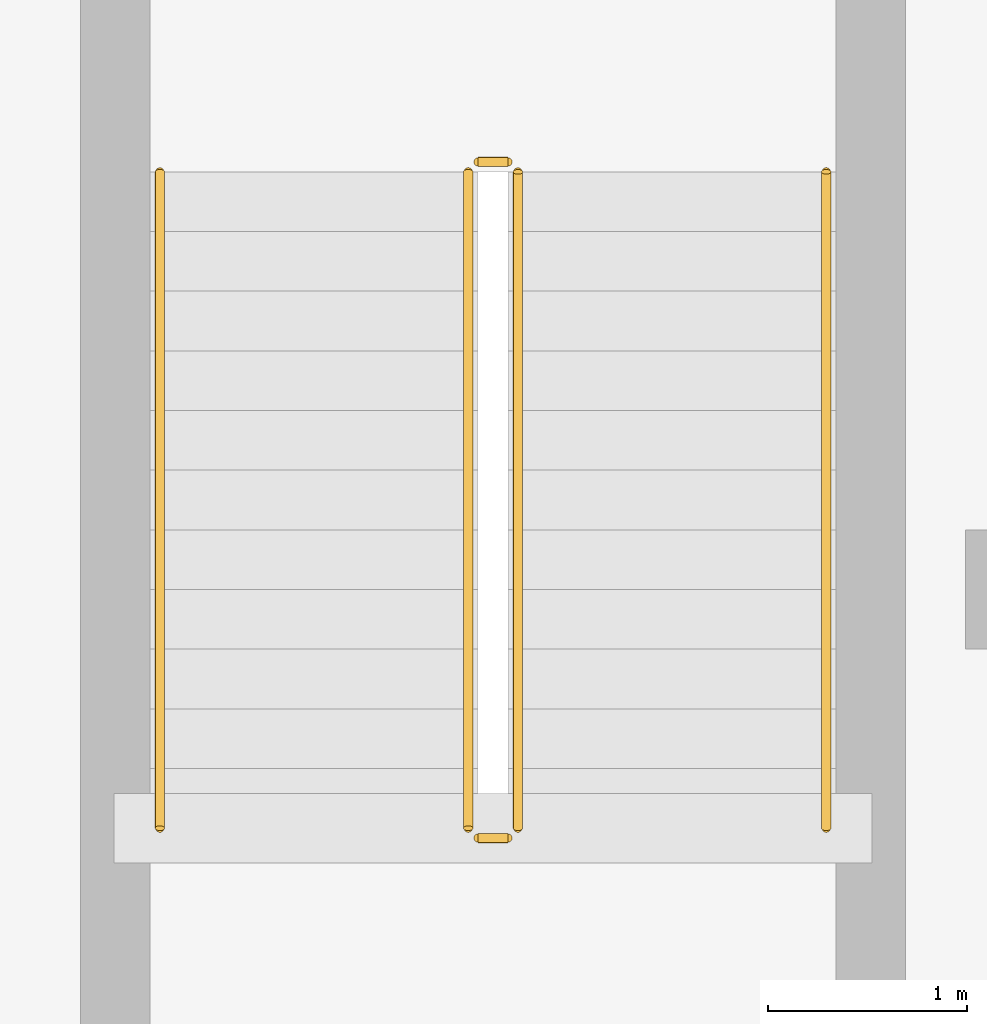
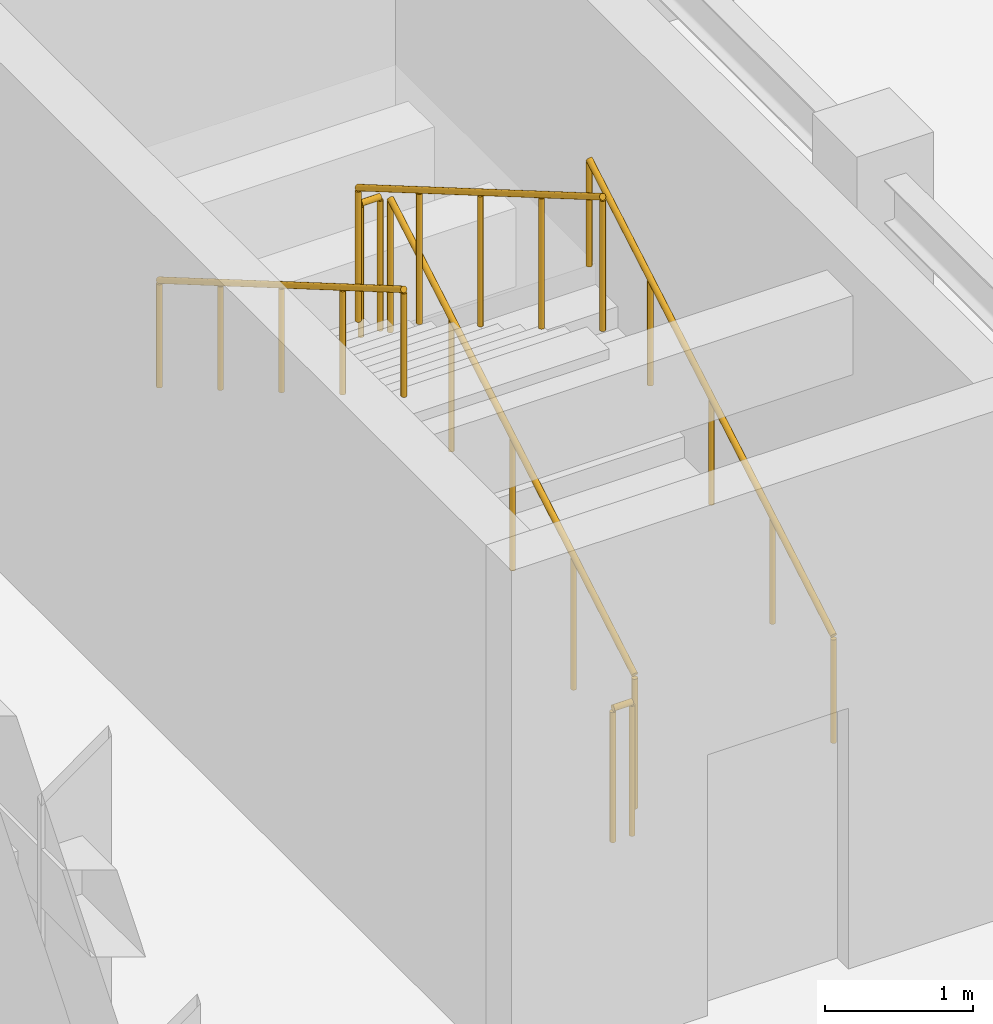
# One storey, part 114 of 122: 6 railings.
"""IFC4 building model written with IfcOpenShell, lengths in metres."""

from ifc_helpers import new_model, si_unit, direction, frame, origin, origin_2d, place, context, subcontext, project, spatial, circle, extrude, material, material_profile, profile_set, type_object, element, save


model = new_model("IFC4")

# Units and contexts
model_context = context("Model", 3, precision=1e-05, world=origin(), true_north=direction((0.0, 1.0)))
body_context = subcontext(model_context, "Body", "Model", "MODEL_VIEW")
ifc_project = project(units=[si_unit("LENGTHUNIT", "METRE"), si_unit("AREAUNIT", "SQUARE_METRE"), si_unit("VOLUMEUNIT", "CUBIC_METRE"), si_unit("PLANEANGLEUNIT", "RADIAN"), si_unit("MASSUNIT", "GRAM", prefix="KILO")], contexts=[model_context])

# Site, building, storey
site_placement = place(None, origin())
site = spatial("IfcSite", under=ifc_project, at=site_placement, CompositionType="ELEMENT")
building_placement = place(site_placement, origin())
building = spatial("IfcBuilding", under=site, at=building_placement, Name="Tazoul Stagehouse", CompositionType="ELEMENT")
storey_placement = place(building_placement, frame((0.0, 0.0, 4.800048828125)))
storey = spatial("IfcBuildingStorey", under=building, at=storey_placement, Name="L01", CompositionType="ELEMENT", Elevation=4.800048828125)

# Railings
ifc_material = material(Name="Brushed Stainless Steel 316L", Category="steel")
ifc_material_profile_1 = material_profile(ifc_material, circle(Radius=0.02392578125, at=origin_2d()), Name="SS RAIL D48")
ifc_profile_set_1 = profile_set([ifc_material_profile_1], Name="Brushed Stainless Steel 316L")
railing_type_1 = type_object("IfcRailingType", Name="Architectural Guardrail H1120", PredefinedType="GUARDRAIL", material=ifc_profile_set_1)
railing_1_placement = place(storey_placement, frame((8.25, 79.39990234375, 0.175048828125)))
element("IfcRailing", 1, at=railing_1_placement, inside=storey, type_object=railing_type_1, Name="L01 ST-06 stair guard 1", PredefinedType="GUARDRAIL", context=body_context, shape_type="SweptSolid", body=[
    extrude(circle(Radius=0.02392578125, at=origin_2d()), frame((0.0, 0.0, 1.09619140625), z_axis=(0.0, 0.863804395585, 0.503827317807), x_axis=(-1.0, 0.0, 0.0)), (0.0, 0.0, 1.0), 3.8203125),
    extrude(circle(Radius=0.02099609375, at=origin_2d()), origin(), (0.0, 0.0, 1.0), 1.072021484375),
    extrude(circle(Radius=0.02099609375, at=origin_2d()), frame((0.0, 0.824951171875, 0.481201171875)), (0.0, 0.0, 1.0), 1.072021484375),
    extrude(circle(Radius=0.02099609375, at=origin_2d()), frame((0.0, 1.64990234375, 0.96240234375)), (0.0, 0.0, 1.0), 1.072021484375),
    extrude(circle(Radius=0.02099609375, at=origin_2d()), frame((0.0, 2.47509765625, 1.443603515625)), (0.0, 0.0, 1.0), 1.072021484375),
    extrude(circle(Radius=0.02099609375, at=origin_2d()), frame((0.0, 3.300048828125, 1.9248046875)), (0.0, 0.0, 1.0), 1.072021484375),
])
railing_2_placement = place(storey_placement, frame((8.199951171875, 82.75, 2.099853515625)))
element("IfcRailing", 2, at=railing_2_placement, inside=storey, type_object=railing_type_1, Name="L01 ST-06 stair guard 2", PredefinedType="GUARDRAIL", context=body_context, shape_type="SweptSolid", body=[
    extrude(circle(Radius=0.02392578125, at=origin_2d()), frame((0.0, 0.0, 1.09619140625), z_axis=(-1.0, 0.0, 0.0), x_axis=(0.0, -1.0, 0.0)), (0.0, 0.0, 1.0), 0.14990234375),
    extrude(circle(Radius=0.02099609375, at=origin_2d()), origin(), (0.0, 0.0, 1.0), 1.072021484375),
    extrude(circle(Radius=0.02099609375, at=origin_2d()), frame((-0.14990234375, 0.0, 0.0)), (0.0, 0.0, 1.0), 1.072021484375),
])
railing_3_placement = place(storey_placement, frame((8.0, 82.699951171875, 2.27490234375)))
element("IfcRailing", 3, at=railing_3_placement, inside=storey, type_object=railing_type_1, Name="L01 ST-06 stair guard 3", PredefinedType="GUARDRAIL", context=body_context, shape_type="SweptSolid", body=[
    extrude(circle(Radius=0.02392578125, at=origin_2d()), frame((0.0, 0.0, 1.09619140625), z_axis=(0.0, -0.863776583165, 0.503874998761), x_axis=(1.0, 0.0, 0.0)), (0.0, 0.0, 1.0), 3.820556640625),
    extrude(circle(Radius=0.02099609375, at=origin_2d()), origin(), (0.0, 0.0, 1.0), 1.072021484375),
    extrude(circle(Radius=0.02099609375, at=origin_2d()), frame((0.0, -0.824951171875, 0.481201171875)), (0.0, 0.0, 1.0), 1.072021484375),
    extrude(circle(Radius=0.02099609375, at=origin_2d()), frame((0.0, -1.64990234375, 0.96240234375)), (0.0, 0.0, 1.0), 1.072021484375),
    extrude(circle(Radius=0.02099609375, at=origin_2d()), frame((0.0, -2.47509765625, 1.44384765625)), (0.0, 0.0, 1.0), 1.072021484375),
    extrude(circle(Radius=0.02099609375, at=origin_2d()), frame((0.0, -3.300048828125, 1.925048828125)), (0.0, 0.0, 1.0), 1.072021484375),
])
railing_4_placement = place(storey_placement, frame((8.199951171875, 79.35009765625, 0.0)))
element("IfcRailing", 4, at=railing_4_placement, inside=storey, type_object=railing_type_1, Name="L01 ST-06 stair guard 4", PredefinedType="GUARDRAIL", context=body_context, shape_type="SweptSolid", body=[
    extrude(circle(Radius=0.02392578125, at=origin_2d()), frame((0.0, 0.0, 1.09619140625), z_axis=(-1.0, 0.0, 0.0), x_axis=(0.0, -1.0, 0.0)), (0.0, 0.0, 1.0), 0.14990234375),
    extrude(circle(Radius=0.02099609375, at=origin_2d()), origin(), (0.0, 0.0, 1.0), 1.072021484375),
    extrude(circle(Radius=0.02099609375, at=origin_2d()), frame((-0.14990234375, 0.0, 0.0)), (0.0, 0.0, 1.0), 1.072021484375),
])
ifc_material_profile_2 = material_profile(ifc_material, circle(Radius=0.02099609375, at=origin_2d()), Name="SS HANDRAIL D42")
ifc_profile_set_2 = profile_set([ifc_material_profile_2], Name="Brushed Stainless Steel 316L")
railing_type_2 = type_object("IfcRailingType", Name="Continuous Stair Handrail H900", PredefinedType="HANDRAIL", material=ifc_profile_set_2)
railing_5_placement = place(storey_placement, frame((9.800048828125, 79.39990234375, 0.175048828125)))
element("IfcRailing", 5, at=railing_5_placement, inside=storey, type_object=railing_type_2, Name="L01 ST-06 stair handrail 1", PredefinedType="HANDRAIL", context=body_context, shape_type="SweptSolid", body=[
    extrude(circle(Radius=0.02392578125, at=origin_2d()), frame((0.0, 0.0, 0.8759765625), z_axis=(0.0, 0.863804395585, 0.503827317807), x_axis=(-1.0, 0.0, 0.0)), (0.0, 0.0, 1.0), 3.8203125),
    extrude(circle(Radius=0.02099609375, at=origin_2d()), origin(), (0.0, 0.0, 1.0), 0.851806640625),
    extrude(circle(Radius=0.02099609375, at=origin_2d()), frame((0.0, 0.824951171875, 0.481201171875)), (0.0, 0.0, 1.0), 0.851806640625),
    extrude(circle(Radius=0.02099609375, at=origin_2d()), frame((0.0, 1.64990234375, 0.96240234375)), (0.0, 0.0, 1.0), 0.851806640625),
    extrude(circle(Radius=0.02099609375, at=origin_2d()), frame((0.0, 2.47509765625, 1.443603515625)), (0.0, 0.0, 1.0), 0.851806640625),
    extrude(circle(Radius=0.02099609375, at=origin_2d()), frame((0.0, 3.300048828125, 1.9248046875)), (0.0, 0.0, 1.0), 0.851806640625),
])
railing_6_placement = place(storey_placement, frame((6.449951171875, 82.699951171875, 2.27490234375)))
element("IfcRailing", 6, at=railing_6_placement, inside=storey, type_object=railing_type_2, Name="L01 ST-06 stair handrail 2", PredefinedType="HANDRAIL", context=body_context, shape_type="SweptSolid", body=[
    extrude(circle(Radius=0.02392578125, at=origin_2d()), frame((0.0, 0.0, 0.8759765625), z_axis=(0.0, -0.863776583165, 0.503874998761), x_axis=(1.0, 0.0, 0.0)), (0.0, 0.0, 1.0), 3.820556640625),
    extrude(circle(Radius=0.02099609375, at=origin_2d()), origin(), (0.0, 0.0, 1.0), 0.851806640625),
    extrude(circle(Radius=0.02099609375, at=origin_2d()), frame((0.0, -0.824951171875, 0.481201171875)), (0.0, 0.0, 1.0), 0.851806640625),
    extrude(circle(Radius=0.02099609375, at=origin_2d()), frame((0.0, -1.64990234375, 0.96240234375)), (0.0, 0.0, 1.0), 0.851806640625),
    extrude(circle(Radius=0.02099609375, at=origin_2d()), frame((0.0, -2.47509765625, 1.44384765625)), (0.0, 0.0, 1.0), 0.851806640625),
    extrude(circle(Radius=0.02099609375, at=origin_2d()), frame((0.0, -3.300048828125, 1.925048828125)), (0.0, 0.0, 1.0), 0.851806640625),
])

save(model, "model.ifc")
